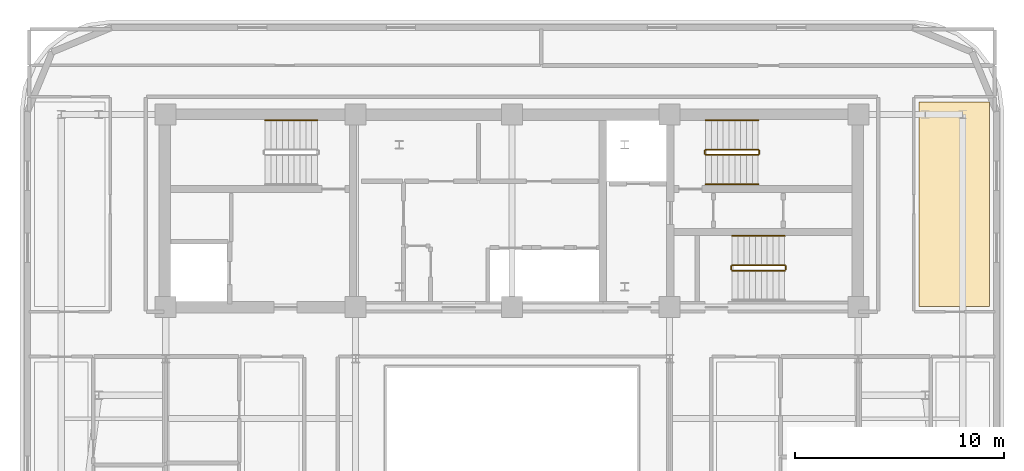
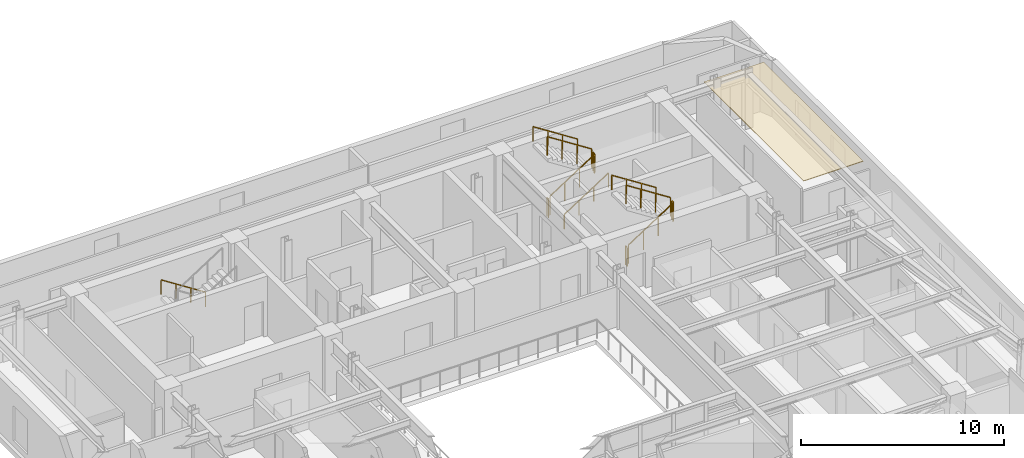
# One storey, part 15 of 15: 12 railings, 1 covering.
"""IFC4 building model written with IfcOpenShell, lengths in metres."""

import ifcopenshell
import ifcopenshell.guid

model = None  # the IFC model being written
_history = None  # IfcOwnerHistory: only IFC2X3 demands one
_inside = {}  # id of a spatial element -> (the spatial element, [elements in it])
_under = {}  # id of a project, library or spatial element -> (it, [spatial elements below it])
_declared = {}  # id of a project -> (the project, [libraries it declares])
_typed = {}  # id of a type object -> (the type object, [elements of that type])
_made_of = {}  # id of a material, layer set ... -> (it, [elements and type objects made of it])


def new_model(schema):
    """Start an empty IFC model of exactly this schema.

    Asked for "IFC4X3", IfcOpenShell would pick the latest addendum, in which some entities
    have other attributes; the version numbers below select the first issue.
    IFC2X3 requires an IfcOwnerHistory on every rooted entity: one is made here for all.
    """
    global model, _history
    if schema == "IFC4X3":
        model = ifcopenshell.file(schema_version=(4, 3, 0, 0))
    else:
        model = ifcopenshell.file(schema=schema)
    _inside.clear()
    _under.clear()
    _declared.clear()
    _typed.clear()
    _made_of.clear()
    _history = None
    if model.schema == "IFC2X3":
        org = make("IfcOrganization", Name="unknown")
        user = make(
            "IfcPersonAndOrganization",
            ThePerson=make("IfcPerson", FamilyName="unknown"),
            TheOrganization=org,
        )
        app = make(
            "IfcApplication",
            ApplicationDeveloper=org,
            Version="unknown",
            ApplicationFullName="unknown",
            ApplicationIdentifier="unknown",
        )
        _history = make(
            "IfcOwnerHistory",
            OwningUser=user,
            OwningApplication=app,
            ChangeAction="ADDED",
            CreationDate=0,
        )
    return model


def make(cls, **values):
    """One entity of the class cls with the attributes given. An attribute that is None is left unset."""
    return model.create_entity(
        cls, **{name: value for name, value in values.items() if value is not None}
    )


def rooted(cls, **values):
    """An entity with a GlobalId (a new one), such as an element, a storey or a relation."""
    return make(cls, GlobalId=ifcopenshell.guid.new(), OwnerHistory=_history, **values)


def si_unit(unit_type, name, prefix=None):
    """IfcSIUnit, for example si_unit("LENGTHUNIT", "METRE", prefix="MILLI")."""
    return make("IfcSIUnit", UnitType=unit_type, Prefix=prefix, Name=name)


def assignment(units):
    """IfcUnitAssignment: the units of a project."""
    return None if units is None else make("IfcUnitAssignment", Units=units)


def point(xyz):
    """IfcCartesianPoint."""
    return None if xyz is None else make("IfcCartesianPoint", Coordinates=xyz)


def direction(xyz):
    """IfcDirection."""
    return None if xyz is None else make("IfcDirection", DirectionRatios=xyz)


def frame(location, z_axis=None, x_axis=None):
    """IfcAxis2Placement3D, a coordinate frame: its origin and axes. An axis left out is left unset."""
    return make(
        "IfcAxis2Placement3D",
        Location=point(location),
        Axis=direction(z_axis),
        RefDirection=direction(x_axis),
    )


def frame_2d(location, x_axis=None):
    """IfcAxis2Placement2D, a coordinate frame in the plane: its origin and x axis."""
    return make(
        "IfcAxis2Placement2D", Location=point(location), RefDirection=direction(x_axis)
    )


def origin():
    """The frame at (0, 0, 0) with its axes left unset."""
    return frame((0.0, 0.0, 0.0))


def origin_2d():
    """The frame at (0, 0) in the plane with its x axis left unset."""
    return frame_2d((0.0, 0.0))


def place(relative_to, where):
    """IfcLocalPlacement: puts the frame where relative to a parent placement (None: the world)."""
    return make(
        "IfcLocalPlacement", PlacementRelTo=relative_to, RelativePlacement=where
    )


def context(
    kind, dimensions, precision=None, world=None, true_north=None, identifier=None
):
    """IfcGeometricRepresentationContext, for example the 3D "Model" context."""
    return make(
        "IfcGeometricRepresentationContext",
        ContextIdentifier=identifier,
        ContextType=kind,
        CoordinateSpaceDimension=dimensions,
        Precision=precision,
        WorldCoordinateSystem=world,
        TrueNorth=true_north,
    )


def subcontext(parent, identifier, kind, view, scale=None):
    """IfcGeometricRepresentationSubContext, for example "Body" below "Model"."""
    return make(
        "IfcGeometricRepresentationSubContext",
        ContextIdentifier=identifier,
        ContextType=kind,
        ParentContext=parent,
        TargetScale=scale,
        TargetView=view,
    )


def project(units=None, contexts=None):
    """IfcProject with its units and contexts."""
    return rooted(
        "IfcProject",
        Name="project",
        RepresentationContexts=contexts,
        UnitsInContext=assignment(units),
    )


def spatial(cls, under=None, at=None, **own):
    """A site, building, storey or space (cls), placed at a placement, below another one or the project."""
    s = rooted(cls, ObjectPlacement=at, **own)
    if under is not None:
        _under.setdefault(under.id(), (under, []))[1].append(s)
    return s


def polyline(points):
    """IfcPolyline through the points."""
    return make("IfcPolyline", Points=[point(p) for p in points])


def profile(cls, at=None, kind="AREA", **sizes):
    """A parametric profile (cls). Its sizes go by their IFC names, for example OverallWidth=200.0."""
    return make(cls, ProfileType=kind, Position=at, **sizes)


def rectangle(**sizes):
    """IfcRectangleProfileDef."""
    return profile("IfcRectangleProfileDef", **sizes)


def outline(outer, holes=None, kind="AREA"):
    """IfcArbitraryClosedProfileDef: a profile drawn as a closed curve; with holes, ...WithVoids."""
    if holes is None:
        return make("IfcArbitraryClosedProfileDef", ProfileType=kind, OuterCurve=outer)
    return make(
        "IfcArbitraryProfileDefWithVoids",
        ProfileType=kind,
        OuterCurve=outer,
        InnerCurves=holes,
    )


def extrude(swept, where, along, depth):
    """IfcExtrudedAreaSolid: the profile swept, set in the frame where, extruded along a direction by depth."""
    return make(
        "IfcExtrudedAreaSolid",
        SweptArea=swept,
        Position=where,
        ExtrudedDirection=direction(along),
        Depth=depth,
    )


def shape(context_of_items, identifier, shape_type, items):
    """IfcShapeRepresentation: the items that make up one representation, for example the "Body"."""
    return make(
        "IfcShapeRepresentation",
        ContextOfItems=context_of_items,
        RepresentationIdentifier=identifier,
        RepresentationType=shape_type,
        Items=items,
    )


def material(Name=None, Category=None):
    """IfcMaterial."""
    return make("IfcMaterial", Name=Name, Category=Category)


def layer(
    of_material, thickness, ventilated=None, Name=None, Category=None, Priority=None
):
    """IfcMaterialLayer: one layer of a wall or slab, of a material (None: an air gap)."""
    return make(
        "IfcMaterialLayer",
        Material=of_material,
        LayerThickness=thickness,
        IsVentilated=ventilated,
        Name=Name,
        Category=Category,
        Priority=Priority,
    )


def layer_set(layers, Name=None):
    """IfcMaterialLayerSet."""
    return make("IfcMaterialLayerSet", MaterialLayers=layers, LayerSetName=Name)


def made_of(thing, what):
    """Note that an element or type object is made of a material, layer set ...; save() writes the relation."""
    if what is not None:
        _made_of.setdefault(what.id(), (what, []))[1].append(thing)
    return thing


def type_object(cls, material=None, **own):
    """A type object (cls), such as IfcWallType, which elements share."""
    return made_of(rooted(cls, **own), material)


def element(
    cls,
    number,
    at=None,
    inside=None,
    cuts=None,
    type_object=None,
    material=None,
    context=None,
    identifier="Body",
    shape_type=None,
    held_by="IfcProductDefinitionShape",
    body=None,
    shapes=None,
    **own,
):
    """One element of the class cls, such as IfcWall. Its Tag is "e" and its number.

    at: its placement. inside: the storey or other place that contains it. cuts: it is an
    opening in that element (IfcRelVoidsElement). A single representation is given by context,
    identifier, shape_type and body (its items); several are given by shapes. held_by: the class
    of the entity that holds the representations. save() writes the other relations.
    """
    e = rooted(cls, Tag="e%d" % number, ObjectPlacement=at, **own)
    if body is not None:
        shapes = [shape(context, identifier, shape_type, body)]
    if shapes is not None:
        e.Representation = make(held_by, Representations=shapes)
    if inside is not None:
        _inside.setdefault(inside.id(), (inside, []))[1].append(e)
    if cuts is not None:
        rooted(
            "IfcRelVoidsElement", RelatingBuildingElement=cuts, RelatedOpeningElement=e
        )
    if type_object is not None:
        _typed.setdefault(type_object.id(), (type_object, []))[1].append(e)
    return made_of(e, material)


def aggregate(whole, parts):
    """IfcRelAggregates: a whole, such as a stair, and the parts it consists of."""
    return rooted("IfcRelAggregates", RelatingObject=whole, RelatedObjects=parts)


def save(model, path):
    """Write the relations noted so far, then the file.

    IfcRelAggregates (storeys below a building ...), IfcRelContainedInSpatialStructure (elements
    in a storey), IfcRelDefinesByType, IfcRelAssociatesMaterial and IfcRelDeclares: one each for
    every whole, place, type object, material and project.
    """
    for whole, parts in _under.values():
        aggregate(whole, parts)
    for where, things in _inside.values():
        rooted(
            "IfcRelContainedInSpatialStructure",
            RelatedElements=things,
            RelatingStructure=where,
        )
    for kind, things in _typed.values():
        rooted("IfcRelDefinesByType", RelatedObjects=things, RelatingType=kind)
    for what, things in _made_of.values():
        rooted("IfcRelAssociatesMaterial", RelatedObjects=things, RelatingMaterial=what)
    for by, libraries in _declared.values():
        rooted("IfcRelDeclares", RelatingContext=by, RelatedDefinitions=libraries)
    model.write(path)


model = new_model("IFC4")

# Units and contexts
model_context = context("Model", 3, precision=1e-05, world=origin(), true_north=direction((0.0, 1.0)))
body_context = subcontext(model_context, "Body", "Model", "MODEL_VIEW")
ifc_project = project(units=[si_unit("LENGTHUNIT", "METRE"), si_unit("AREAUNIT", "SQUARE_METRE"), si_unit("VOLUMEUNIT", "CUBIC_METRE"), si_unit("PLANEANGLEUNIT", "RADIAN"), si_unit("MASSUNIT", "GRAM", prefix="KILO")], contexts=[model_context])

# Site, building, storey
site_placement = place(None, origin())
site = spatial("IfcSite", under=ifc_project, at=site_placement, CompositionType="ELEMENT")
building_placement = place(site_placement, origin())
building = spatial("IfcBuilding", under=site, at=building_placement, Name="Zarnavel Station Tower", CompositionType="ELEMENT")
storey_placement = place(building_placement, frame((0.0, 0.0, 196.800048828125)))
storey = spatial("IfcBuildingStorey", under=building, at=storey_placement, Name="L53", CompositionType="ELEMENT", Elevation=196.800048828125)

# Covering
ifc_material_1 = material(Name="Perforated Gypsum and Mineral-Wool Acoustic Ceiling", Category="concrete")
ifc_layer = layer(ifc_material_1, 0.0400390625)
ifc_layer_set = layer_set([ifc_layer], Name="COV_CEIL_ACOUSTIC")
covering_type = type_object("IfcCoveringType", Name="COV_CEIL_ACOUSTIC", PredefinedType="CEILING", material=ifc_layer_set)
covering_placement = place(storey_placement, frame((0.0, 0.0, 3.02001953125)))
element("IfcCovering", 1, at=covering_placement, inside=storey, type_object=covering_type, Name="L53 FNE Acoustic Ceiling", PredefinedType="CEILING", context=body_context, shape_type="SweptSolid", body=[
    extrude(outline(polyline([(48.300048828125, 27.85009765625), (51.68994140625, 27.85009765625), (51.68994140625, 37.64990234375), (48.300048828125, 37.64990234375), (48.300048828125, 27.85009765625)])), origin(), (0.0, 0.0, 1.0), 0.0400390625),
])

# Railings
ifc_material_2 = material(Name="Painted Steel S355J2 Balustrade", Category="steel")
railing_type_1 = type_object("IfcRailingType", Name="GR_INT_1150", PredefinedType="GUARDRAIL", material=ifc_material_2)
railing_1_placement = place(storey_placement, frame((38.080078125, 35.110107421875, 0.179931640625)))
element("IfcRailing", 2, at=railing_1_placement, inside=storey, type_object=railing_type_1, Name="L53 ST2 stair guard 1", PredefinedType="GUARDRAIL", context=body_context, shape_type="SweptSolid", body=[
    extrude(rectangle(XDim=0.048095703125, YDim=0.048095703125, at=origin_2d()), frame((0.001708984375, 0.0, 1.126953125), z_axis=(0.841162588446, 0.0, 0.540782303519), x_axis=(0.0, 1.0, 0.0)), (0.0, 0.0, 1.0), 2.991943359375),
    extrude(rectangle(XDim=0.0419921875, YDim=0.0419921875, at=origin_2d()), origin(), (0.0, 0.0, 1.0), 1.101806640625),
    extrude(rectangle(XDim=0.0419921875, YDim=0.0419921875, at=origin_2d()), frame((0.840087890625, 0.0, 0.5400390625)), (0.0, 0.0, 1.0), 1.101806640625),
    extrude(rectangle(XDim=0.0419921875, YDim=0.0419921875, at=origin_2d()), frame((1.679931640625, 0.0, 1.080078125)), (0.0, 0.0, 1.0), 1.101806640625),
    extrude(rectangle(XDim=0.0419921875, YDim=0.0419921875, at=origin_2d()), frame((2.52001953125, 0.0, 1.6201171875)), (0.0, 0.0, 1.0), 1.101806640625),
])
railing_2_placement = place(storey_placement, frame((40.64990234375, 35.159912109375, 1.800048828125)))
element("IfcRailing", 3, at=railing_2_placement, inside=storey, type_object=railing_type_1, Name="L53 ST2 stair guard 2", PredefinedType="GUARDRAIL", context=body_context, shape_type="SweptSolid", body=[
    extrude(rectangle(XDim=0.048095703125, YDim=0.048095703125, at=origin_2d()), frame((0.0, 0.001953125, 1.1259765625), z_axis=(0.0, 1.0, 0.0), x_axis=(-1.0, 0.0, 0.0)), (0.0, 0.0, 1.0), 0.15625),
    extrude(rectangle(XDim=0.0419921875, YDim=0.0419921875, at=origin_2d()), origin(), (0.0, 0.0, 1.0), 1.101806640625),
    extrude(rectangle(XDim=0.0419921875, YDim=0.0419921875, at=origin_2d()), frame((0.0, 0.16015625, 0.0)), (0.0, 0.0, 1.0), 1.101806640625),
])
railing_3_placement = place(storey_placement, frame((40.60009765625, 35.3701171875, 1.97998046875)))
element("IfcRailing", 4, at=railing_3_placement, inside=storey, type_object=railing_type_1, Name="L53 ST2 stair guard 3", PredefinedType="GUARDRAIL", context=body_context, shape_type="SweptSolid", body=[
    extrude(rectangle(XDim=0.048095703125, YDim=0.048095703125, at=origin_2d()), frame((-0.001708984375, 0.0, 1.126953125), z_axis=(-0.841199657755, 0.0, 0.540724639528), x_axis=(0.0, -1.0, 0.0)), (0.0, 0.0, 1.0), 2.99169921875),
    extrude(rectangle(XDim=0.0419921875, YDim=0.0419921875, at=origin_2d()), origin(), (0.0, 0.0, 1.0), 1.101806640625),
    extrude(rectangle(XDim=0.0419921875, YDim=0.0419921875, at=origin_2d()), frame((-0.840087890625, 0.0, 0.5400390625)), (0.0, 0.0, 1.0), 1.101806640625),
    extrude(rectangle(XDim=0.0419921875, YDim=0.0419921875, at=origin_2d()), frame((-1.679931640625, 0.0, 1.079833984375)), (0.0, 0.0, 1.0), 1.101806640625),
    extrude(rectangle(XDim=0.0419921875, YDim=0.0419921875, at=origin_2d()), frame((-2.52001953125, 0.0, 1.619873046875)), (0.0, 0.0, 1.0), 1.101806640625),
])
railing_4_placement = place(storey_placement, frame((38.030029296875, 35.159912109375, 0.0)))
element("IfcRailing", 5, at=railing_4_placement, inside=storey, type_object=railing_type_1, Name="L53 ST2 stair guard 4", PredefinedType="GUARDRAIL", context=body_context, shape_type="SweptSolid", body=[
    extrude(rectangle(XDim=0.048095703125, YDim=0.048095703125, at=origin_2d()), frame((0.0, 0.001953125, 1.1259765625), z_axis=(0.0, 1.0, 0.0), x_axis=(-1.0, 0.0, 0.0)), (0.0, 0.0, 1.0), 0.15625),
    extrude(rectangle(XDim=0.0419921875, YDim=0.0419921875, at=origin_2d()), origin(), (0.0, 0.0, 1.0), 1.101806640625),
    extrude(rectangle(XDim=0.0419921875, YDim=0.0419921875, at=origin_2d()), frame((0.0, 0.16015625, 0.0)), (0.0, 0.0, 1.0), 1.101806640625),
])
railing_5_placement = place(storey_placement, frame((39.35009765625, 29.570068359375, 0.179931640625)))
element("IfcRailing", 6, at=railing_5_placement, inside=storey, type_object=railing_type_1, Name="L53 ST3 stair guard 1", PredefinedType="GUARDRAIL", context=body_context, shape_type="SweptSolid", body=[
    extrude(rectangle(XDim=0.048095703125, YDim=0.048095703125, at=origin_2d()), frame((0.001708984375, 0.0, 1.126953125), z_axis=(0.841162588446, 0.0, 0.540782303519), x_axis=(0.0, 1.0, 0.0)), (0.0, 0.0, 1.0), 2.991943359375),
    extrude(rectangle(XDim=0.0419921875, YDim=0.0419921875, at=origin_2d()), origin(), (0.0, 0.0, 1.0), 1.101806640625),
    extrude(rectangle(XDim=0.0419921875, YDim=0.0419921875, at=origin_2d()), frame((0.840087890625, 0.0, 0.5400390625)), (0.0, 0.0, 1.0), 1.101806640625),
    extrude(rectangle(XDim=0.0419921875, YDim=0.0419921875, at=origin_2d()), frame((1.679931640625, 0.0, 1.080078125)), (0.0, 0.0, 1.0), 1.101806640625),
    extrude(rectangle(XDim=0.0419921875, YDim=0.0419921875, at=origin_2d()), frame((2.52001953125, 0.0, 1.6201171875)), (0.0, 0.0, 1.0), 1.101806640625),
])
railing_6_placement = place(storey_placement, frame((41.919921875, 29.6201171875, 1.800048828125)))
element("IfcRailing", 7, at=railing_6_placement, inside=storey, type_object=railing_type_1, Name="L53 ST3 stair guard 2", PredefinedType="GUARDRAIL", context=body_context, shape_type="SweptSolid", body=[
    extrude(rectangle(XDim=0.048095703125, YDim=0.048095703125, at=origin_2d()), frame((0.0, 0.001953125, 1.1259765625), z_axis=(0.0, 1.0, 0.0), x_axis=(-1.0, 0.0, 0.0)), (0.0, 0.0, 1.0), 0.156005859375),
    extrude(rectangle(XDim=0.0419921875, YDim=0.0419921875, at=origin_2d()), origin(), (0.0, 0.0, 1.0), 1.101806640625),
    extrude(rectangle(XDim=0.0419921875, YDim=0.0419921875, at=origin_2d()), frame((0.0, 0.159912109375, 0.0)), (0.0, 0.0, 1.0), 1.101806640625),
])
railing_7_placement = place(storey_placement, frame((41.8701171875, 29.830078125, 1.97998046875)))
element("IfcRailing", 8, at=railing_7_placement, inside=storey, type_object=railing_type_1, Name="L53 ST3 stair guard 3", PredefinedType="GUARDRAIL", context=body_context, shape_type="SweptSolid", body=[
    extrude(rectangle(XDim=0.048095703125, YDim=0.048095703125, at=origin_2d()), frame((-0.001708984375, 0.0, 1.126953125), z_axis=(-0.841199657755, 0.0, 0.540724639528), x_axis=(0.0, -1.0, 0.0)), (0.0, 0.0, 1.0), 2.99169921875),
    extrude(rectangle(XDim=0.0419921875, YDim=0.0419921875, at=origin_2d()), origin(), (0.0, 0.0, 1.0), 1.101806640625),
    extrude(rectangle(XDim=0.0419921875, YDim=0.0419921875, at=origin_2d()), frame((-0.840087890625, 0.0, 0.5400390625)), (0.0, 0.0, 1.0), 1.101806640625),
    extrude(rectangle(XDim=0.0419921875, YDim=0.0419921875, at=origin_2d()), frame((-1.679931640625, 0.0, 1.079833984375)), (0.0, 0.0, 1.0), 1.101806640625),
    extrude(rectangle(XDim=0.0419921875, YDim=0.0419921875, at=origin_2d()), frame((-2.52001953125, 0.0, 1.619873046875)), (0.0, 0.0, 1.0), 1.101806640625),
])
railing_8_placement = place(storey_placement, frame((39.300048828125, 29.6201171875, 0.0)))
element("IfcRailing", 9, at=railing_8_placement, inside=storey, type_object=railing_type_1, Name="L53 ST3 stair guard 4", PredefinedType="GUARDRAIL", context=body_context, shape_type="SweptSolid", body=[
    extrude(rectangle(XDim=0.048095703125, YDim=0.048095703125, at=origin_2d()), frame((0.0, 0.001953125, 1.1259765625), z_axis=(0.0, 1.0, 0.0), x_axis=(-1.0, 0.0, 0.0)), (0.0, 0.0, 1.0), 0.156005859375),
    extrude(rectangle(XDim=0.0419921875, YDim=0.0419921875, at=origin_2d()), origin(), (0.0, 0.0, 1.0), 1.101806640625),
    extrude(rectangle(XDim=0.0419921875, YDim=0.0419921875, at=origin_2d()), frame((0.0, 0.159912109375, 0.0)), (0.0, 0.0, 1.0), 1.101806640625),
])
ifc_material_3 = material(Name="Brushed Stainless Steel S355J2 Handrail", Category="steel")
railing_type_2 = type_object("IfcRailingType", Name="HR_STAIR_900", PredefinedType="HANDRAIL", material=ifc_material_3)
railing_9_placement = place(storey_placement, frame((19.47998046875, 36.77001953125, 0.179931640625)))
element("IfcRailing", 10, at=railing_9_placement, inside=storey, type_object=railing_type_2, Name="L53 ST1 stair handrail 1", PredefinedType="HANDRAIL", context=body_context, shape_type="SweptSolid", body=[
    extrude(rectangle(XDim=0.048095703125, YDim=0.048095703125, at=origin_2d()), frame((-0.001708984375, 0.0, 0.876953125), z_axis=(-0.841162588446, 0.0, 0.540782303519), x_axis=(0.0, -1.0, 0.0)), (0.0, 0.0, 1.0), 2.991943359375),
    extrude(rectangle(XDim=0.0419921875, YDim=0.0419921875, at=origin_2d()), origin(), (0.0, 0.0, 1.0), 0.851806640625),
    extrude(rectangle(XDim=0.0419921875, YDim=0.0419921875, at=origin_2d()), frame((-0.840087890625, 0.0, 0.5400390625)), (0.0, 0.0, 1.0), 0.851806640625),
    extrude(rectangle(XDim=0.0419921875, YDim=0.0419921875, at=origin_2d()), frame((-1.679931640625, 0.0, 1.080078125)), (0.0, 0.0, 1.0), 0.851806640625),
    extrude(rectangle(XDim=0.0419921875, YDim=0.0419921875, at=origin_2d()), frame((-2.52001953125, 0.0, 1.6201171875)), (0.0, 0.0, 1.0), 0.851806640625),
])
railing_10_placement = place(storey_placement, frame((38.080078125, 33.7099609375, 0.179931640625)))
element("IfcRailing", 11, at=railing_10_placement, inside=storey, type_object=railing_type_2, Name="L53 ST2 stair handrail 1", PredefinedType="HANDRAIL", context=body_context, shape_type="SweptSolid", body=[
    extrude(rectangle(XDim=0.048095703125, YDim=0.048095703125, at=origin_2d()), frame((0.001708984375, 0.0, 0.876953125), z_axis=(0.841162588446, 0.0, 0.540782303519), x_axis=(0.0, 1.0, 0.0)), (0.0, 0.0, 1.0), 2.991943359375),
    extrude(rectangle(XDim=0.0419921875, YDim=0.0419921875, at=origin_2d()), origin(), (0.0, 0.0, 1.0), 0.851806640625),
    extrude(rectangle(XDim=0.0419921875, YDim=0.0419921875, at=origin_2d()), frame((0.840087890625, 0.0, 0.5400390625)), (0.0, 0.0, 1.0), 0.851806640625),
    extrude(rectangle(XDim=0.0419921875, YDim=0.0419921875, at=origin_2d()), frame((1.679931640625, 0.0, 1.080078125)), (0.0, 0.0, 1.0), 0.851806640625),
    extrude(rectangle(XDim=0.0419921875, YDim=0.0419921875, at=origin_2d()), frame((2.52001953125, 0.0, 1.6201171875)), (0.0, 0.0, 1.0), 0.851806640625),
])
for number, where, name in (
    (12, (40.60009765625, 36.77001953125, 1.97998046875), "L53 ST2 stair handrail 2"),
    (13, (41.8701171875, 31.22998046875, 1.97998046875), "L53 ST3 stair handrail 2"),
):
    element("IfcRailing", number, at=place(storey_placement, frame(where)), inside=storey, type_object=railing_type_2, Name=name, PredefinedType="HANDRAIL", context=body_context, shape_type="SweptSolid", body=[
        extrude(rectangle(XDim=0.048095703125, YDim=0.048095703125, at=origin_2d()), frame((-0.001708984375, 0.0, 0.876953125), z_axis=(-0.841199657755, 0.0, 0.540724639528), x_axis=(0.0, -1.0, 0.0)), (0.0, 0.0, 1.0), 2.99169921875),
        extrude(rectangle(XDim=0.0419921875, YDim=0.0419921875, at=origin_2d()), origin(), (0.0, 0.0, 1.0), 0.851806640625),
        extrude(rectangle(XDim=0.0419921875, YDim=0.0419921875, at=origin_2d()), frame((-0.840087890625, 0.0, 0.5400390625)), (0.0, 0.0, 1.0), 0.851806640625),
        extrude(rectangle(XDim=0.0419921875, YDim=0.0419921875, at=origin_2d()), frame((-1.679931640625, 0.0, 1.079833984375)), (0.0, 0.0, 1.0), 0.851806640625),
        extrude(rectangle(XDim=0.0419921875, YDim=0.0419921875, at=origin_2d()), frame((-2.52001953125, 0.0, 1.619873046875)), (0.0, 0.0, 1.0), 0.851806640625),
    ])

save(model, "model.ifc")
